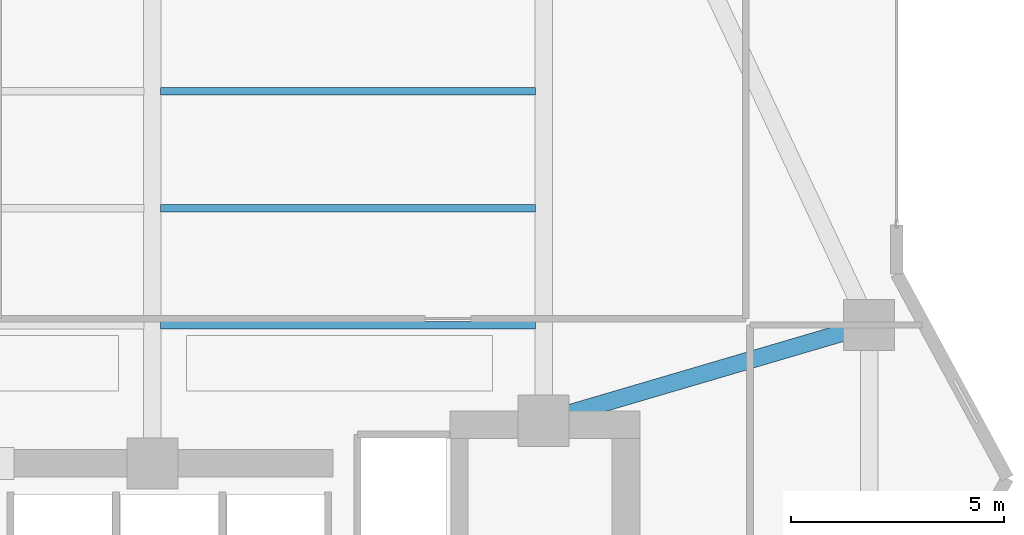
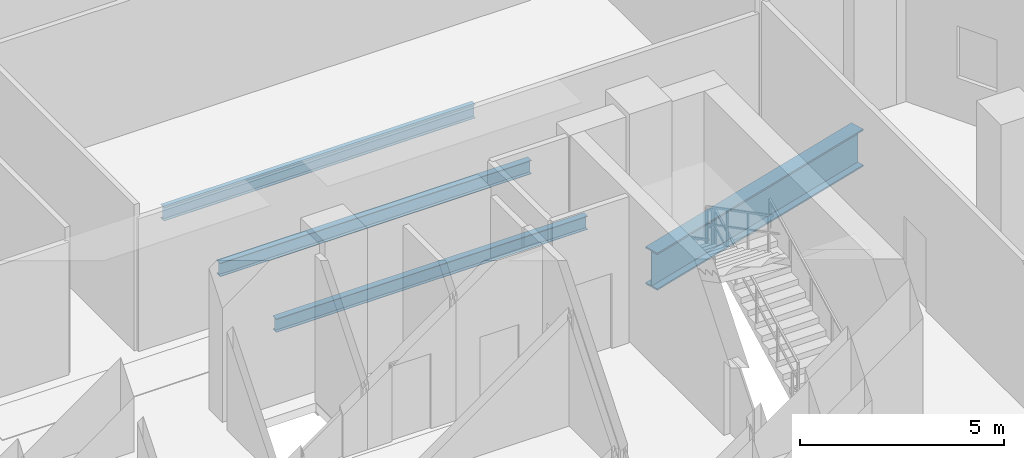
# One storey, part 14 of 33: 4 beams.
"""IFC4 building model written with IfcOpenShell, lengths in metres."""

from ifc_helpers import new_model, si_unit, direction, frame, origin, origin_2d, place, context, subcontext, project, spatial, i_section, extrude, material, material_profile, profile_set, type_object, element, save


model = new_model("IFC4")

# Units and contexts
model_context = context("Model", 3, precision=1e-05, world=origin(), true_north=direction((0.0, 1.0)))
body_context = subcontext(model_context, "Body", "Model", "MODEL_VIEW")
ifc_project = project(units=[si_unit("LENGTHUNIT", "METRE"), si_unit("AREAUNIT", "SQUARE_METRE"), si_unit("VOLUMEUNIT", "CUBIC_METRE"), si_unit("PLANEANGLEUNIT", "RADIAN"), si_unit("MASSUNIT", "GRAM", prefix="KILO")], contexts=[model_context])

# Site, building, storey
site_placement = place(None, origin())
site = spatial("IfcSite", under=ifc_project, at=site_placement, CompositionType="ELEMENT")
building_placement = place(site_placement, origin())
building = spatial("IfcBuilding", under=site, at=building_placement, Name="Zuhayl Quay Hotel", CompositionType="ELEMENT")
storey_placement = place(building_placement, frame((0.0, 0.0, 168.199951171875)))
storey = spatial("IfcBuildingStorey", under=building, at=storey_placement, Name="L42", CompositionType="ELEMENT", Elevation=168.199951171875)

# Beams
ifc_material_1 = material(Name="Steel ASTM A992 Grade 50", Category="steel")
ifc_material_profile_1 = material_profile(ifc_material_1, i_section(OverallWidth=0.177978515625, OverallDepth=0.406005859375, WebThickness=0.0078125, FlangeThickness=0.0126953125, at=origin_2d()), Name="W16X40")
ifc_profile_set_1 = profile_set([ifc_material_profile_1], Name="Steel ASTM A992 Grade 50")
beam_type_1 = type_object("IfcBeamType", Name="BM_J2B_W16X40", PredefinedType="JOIST", material=ifc_profile_set_1)
for number, where, z_axis, x_axis, name in (
    (1, (4.7939453125, 16.60009765625, -0.462890625), (1.0, 0.0, 0.0), (0.0, 1.0, 0.0), "L42 Floor Beam FJ_L42_1_3"),
    (2, (4.7939453125, 19.35009765625, -0.462890625), (1.0, 0.0, 0.0), (0.0, 1.0, 0.0), "L42 Floor Beam FJ_L42_2_3"),
    (3, (4.7939453125, 22.10009765625, -0.462890625), (1.0, 0.0, 0.0), (0.0, 1.0, 0.0), "L42 Floor Beam FJ_L42_3_3"),
):
    element("IfcBeam", number, at=place(storey_placement, frame(where, z_axis=z_axis, x_axis=x_axis)), inside=storey, type_object=beam_type_1, Name=name, PredefinedType="JOIST", context=body_context, shape_type="SweptSolid", body=[
        extrude(i_section(OverallWidth=0.177978515625, OverallDepth=0.406005859375, WebThickness=0.0078125, FlangeThickness=0.0126953125, at=origin_2d()), origin(), (0.0, 0.0, 1.0), 8.81201171875),
    ])
ifc_material_2 = material(Name="Steel ASTM A913 Grade 65", Category="steel")
ifc_material_profile_2 = material_profile(ifc_material_2, i_section(OverallWidth=0.404052734375, OverallDepth=1.117919921875, WebThickness=0.026123046875, FlangeThickness=0.044921875, at=origin_2d()), Name="W44X335")
ifc_profile_set_2 = profile_set([ifc_material_profile_2], Name="Steel ASTM A913 Grade 65")
beam_type_2 = type_object("IfcBeamType", Name="BM_TG1_W44X335", PredefinedType="BEAM", material=ifc_profile_set_2)
beam_placement = place(storey_placement, frame((14.231689453125, 14.47705078125, -0.81884765625), z_axis=(0.959362847519, 0.282175347611, 0.0), x_axis=(-0.282175347611, 0.959362847519, 0.0)))
element("IfcBeam", 4, at=beam_placement, inside=storey, type_object=beam_type_2, Name="L42 Floor Beam FG_E_L42_2", PredefinedType="BEAM", context=body_context, shape_type="SweptSolid", body=[
    extrude(i_section(OverallWidth=0.404052734375, OverallDepth=1.117919921875, WebThickness=0.026123046875, FlangeThickness=0.044921875, at=origin_2d()), origin(), (0.0, 0.0, 1.0), 7.323974609375),
])

save(model, "model.ifc")
